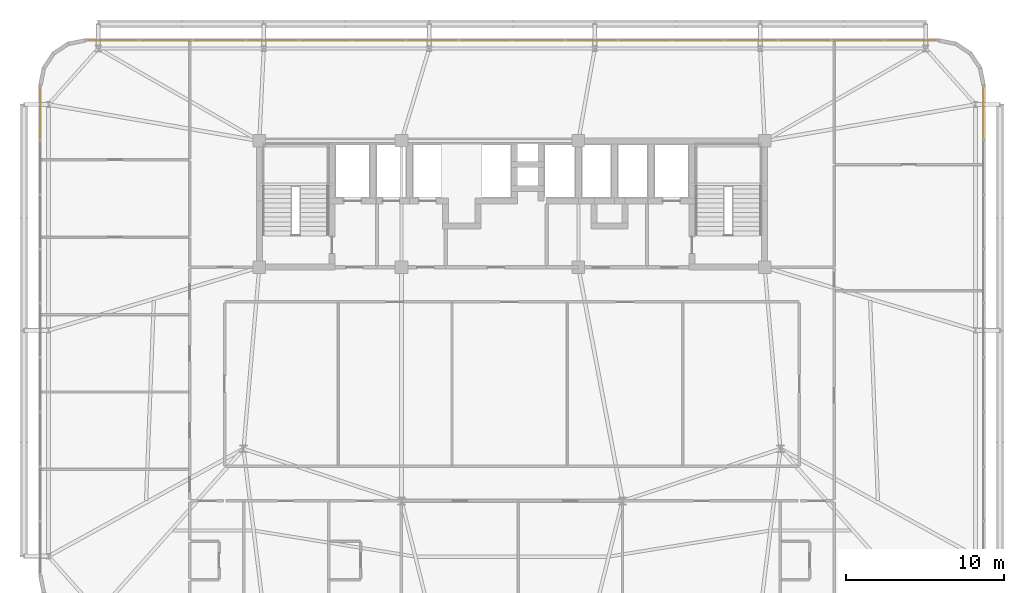
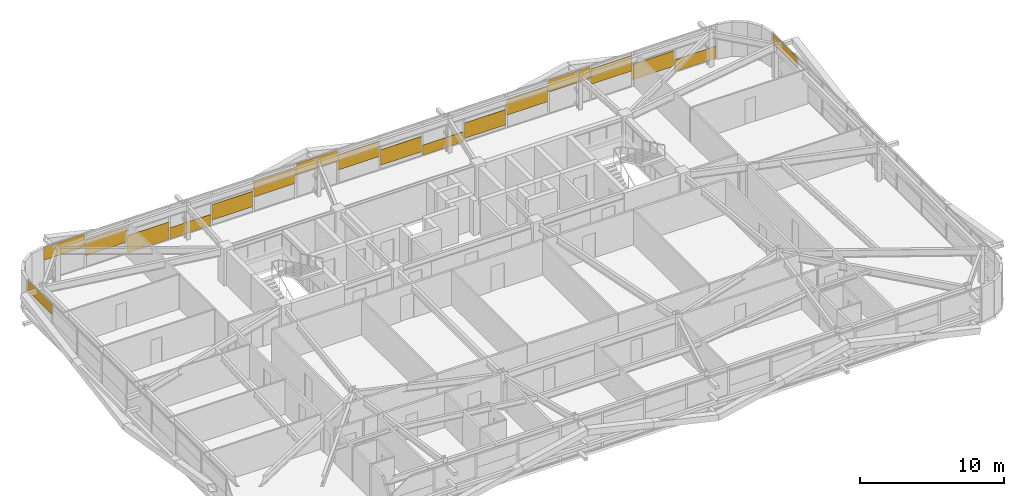
# One storey, part 58 of 58: 18 coverings.
"""IFC4 building model written with IfcOpenShell, lengths in metres."""

from ifc_helpers import new_model, si_unit, direction, frame, origin, origin_2d, place, context, subcontext, project, spatial, rectangle, extrude, source, transform, mapped, material, layer, layer_set, type_object, element, save


model = new_model("IFC4")

# Units and contexts
model_context = context("Model", 3, precision=1e-05, world=origin(), true_north=direction((0.0, 1.0)))
body_context = subcontext(model_context, "Body", "Model", "MODEL_VIEW")
ifc_project = project(units=[si_unit("LENGTHUNIT", "METRE"), si_unit("AREAUNIT", "SQUARE_METRE"), si_unit("VOLUMEUNIT", "CUBIC_METRE"), si_unit("PLANEANGLEUNIT", "RADIAN"), si_unit("MASSUNIT", "GRAM", prefix="KILO")], contexts=[model_context])

# Site, building, storey
site_placement = place(None, origin())
site = spatial("IfcSite", under=ifc_project, at=site_placement, CompositionType="ELEMENT")
building_placement = place(site_placement, origin())
building = spatial("IfcBuilding", under=site, at=building_placement, Name="Taldren Reach Tower", CompositionType="ELEMENT")
storey_placement = place(building_placement, frame((0.0, 0.0, 32.550048828125)))
storey = spatial("IfcBuildingStorey", under=building, at=storey_placement, Name="L09", CompositionType="ELEMENT", Elevation=32.550048828125)

# Coverings
ifc_material = material(Name="Pale Champagne Fluoropolymer Aluminium Spandrel Cladding", Category="aluminium")
ifc_layer = layer(ifc_material, 0.0439453125)
ifc_layer_set = layer_set([ifc_layer], Name="Pale Champagne Fluoropolymer Aluminium Spandrel Cladding")
covering_type = type_object("IfcCoveringType", Name="CV-CLAD-044", PredefinedType="CLADDING", material=ifc_layer_set)
shared_shape_1 = source(origin(), body_context, "Body", "SweptSolid", [
    extrude(rectangle(XDim=3.277587890625, YDim=0.0439453125, at=origin_2d()), origin(), (0.0, 0.0, 1.0), 1.081298828125),
])
covering_1_placement = place(storey_placement, frame((9.703857421875, 38.360107421875, 1.79345703125), z_axis=(0.0, 0.0, 1.0), x_axis=(-1.0, 0.0, 0.0)))
element("IfcCovering", 1, at=covering_1_placement, inside=storey, type_object=covering_type, Name="Diagrid closure cladding strip CW-2 panel 16.1 1", PredefinedType="CLADDING", context=body_context, shape_type="MappedRepresentation", body=[
    mapped(shared_shape_1, transform((0.0, 0.0, 0.0), scale=1.0)),
])
shared_shape_2 = source(origin(), body_context, "Body", "SweptSolid", [
    extrude(rectangle(XDim=3.31005859375, YDim=0.0439453125, at=origin_2d()), origin(), (0.0, 0.0, 1.0), 1.301025390625),
])
for number, where, z_axis, x_axis, name in (
    (2, (56.9375, 38.360107421875, 0.5576171875), (0.0, 0.0, 1.0), (-1.0, 0.0, 0.0), "Diagrid closure cladding strip CW-2 panel 2.1 1"),
    (3, (53.5625, 38.360107421875, 1.34033203125), (0.0, 0.0, 1.0), (-1.0, 0.0, 0.0), "Diagrid closure cladding strip CW-2 panel 3.1 1"),
    (4, (46.8125, 38.360107421875, 1.09326171875), (0.0, 0.0, 1.0), (-1.0, 0.0, 0.0), "Diagrid closure cladding strip CW-2 panel 5.1 1"),
    (5, (43.4375, 38.360107421875, 0.31103515625), (0.0, 0.0, 1.0), (-1.0, 0.0, 0.0), "Diagrid closure cladding strip CW-2 panel 6.1 1"),
    (6, (36.6875, 38.360107421875, 0.39306640625), (0.0, 0.0, 1.0), (-1.0, 0.0, 0.0), "Diagrid closure cladding strip CW-2 panel 8.1 1"),
    (7, (33.3125, 38.360107421875, 1.17578125), (0.0, 0.0, 1.0), (-1.0, 0.0, 0.0), "Diagrid closure cladding strip CW-2 panel 9.1 1"),
    (8, (26.5625, 38.360107421875, 1.2578125), (0.0, 0.0, 1.0), (-1.0, 0.0, 0.0), "Diagrid closure cladding strip CW-2 panel 11.1 1"),
    (9, (23.1875, 38.360107421875, 0.4755859375), (0.0, 0.0, 1.0), (-1.0, 0.0, 0.0), "Diagrid closure cladding strip CW-2 panel 12.1 1"),
    (10, (13.0625, 38.360107421875, 1.01123046875), (0.0, 0.0, 1.0), (-1.0, 0.0, 0.0), "Diagrid closure cladding strip CW-2 panel 15.1 1"),
):
    element("IfcCovering", number, at=place(storey_placement, frame(where, z_axis=z_axis, x_axis=x_axis)), inside=storey, type_object=covering_type, Name=name, PredefinedType="CLADDING", context=body_context, shape_type="MappedRepresentation", body=[
        mapped(shared_shape_2, transform((0.0, 0.0, 0.0), scale=1.0)),
    ])
shared_shape_3 = source(origin(), body_context, "Body", "SweptSolid", [
    extrude(rectangle(XDim=3.31005859375, YDim=0.0439453125, at=origin_2d()), origin(), (0.0, 0.0, 1.0), 1.474609375),
])
covering_2_placement = place(storey_placement, frame((16.4375, 38.360107421875, 0.054931640625), z_axis=(0.0, 0.0, 1.0), x_axis=(-1.0, 0.0, 0.0)))
element("IfcCovering", 11, at=covering_2_placement, inside=storey, type_object=covering_type, Name="Diagrid closure cladding strip CW-2 panel 14.1 1", PredefinedType="CLADDING", context=body_context, shape_type="MappedRepresentation", body=[
    mapped(shared_shape_3, transform((0.0, 0.0, 0.0), scale=1.0)),
])
shared_shape_4 = source(origin(), body_context, "Body", "SweptSolid", [
    extrude(rectangle(XDim=3.31005859375, YDim=0.0439453125, at=origin_2d()), origin(), (0.0, 0.0, 1.0), 0.93896484375),
])
covering_3_placement = place(storey_placement, frame((19.8125, 38.360107421875, 0.054931640625), z_axis=(0.0, 0.0, 1.0), x_axis=(-1.0, 0.0, 0.0)))
element("IfcCovering", 12, at=covering_3_placement, inside=storey, type_object=covering_type, Name="Diagrid closure cladding strip CW-2 panel 13.1 1", PredefinedType="CLADDING", context=body_context, shape_type="MappedRepresentation", body=[
    mapped(shared_shape_4, transform((0.0, 0.0, 0.0), scale=1.0)),
])
shared_shape_5 = source(origin(), body_context, "Body", "SweptSolid", [
    extrude(rectangle(XDim=3.31005859375, YDim=0.0439453125, at=origin_2d()), origin(), (0.0, 0.0, 1.0), 0.916748046875),
])
covering_4_placement = place(storey_placement, frame((29.9375, 38.360107421875, 1.9580078125), z_axis=(0.0, 0.0, 1.0), x_axis=(-1.0, 0.0, 0.0)))
element("IfcCovering", 13, at=covering_4_placement, inside=storey, type_object=covering_type, Name="Diagrid closure cladding strip CW-2 panel 10.1 1", PredefinedType="CLADDING", context=body_context, shape_type="MappedRepresentation", body=[
    mapped(shared_shape_5, transform((0.0, 0.0, 0.0), scale=1.0)),
])
shared_shape_6 = source(origin(), body_context, "Body", "SweptSolid", [
    extrude(rectangle(XDim=3.31005859375, YDim=0.0439453125, at=origin_2d()), origin(), (0.0, 0.0, 1.0), 0.856689453125),
])
covering_5_placement = place(storey_placement, frame((40.0625, 38.360107421875, 0.05517578125), z_axis=(0.0, 0.0, 1.0), x_axis=(-1.0, 0.0, 0.0)))
element("IfcCovering", 14, at=covering_5_placement, inside=storey, type_object=covering_type, Name="Diagrid closure cladding strip CW-2 panel 7.1 1", PredefinedType="CLADDING", context=body_context, shape_type="MappedRepresentation", body=[
    mapped(shared_shape_6, transform((0.0, 0.0, 0.0), scale=1.0)),
])
shared_shape_7 = source(origin(), body_context, "Body", "SweptSolid", [
    extrude(rectangle(XDim=3.31005859375, YDim=0.0439453125, at=origin_2d()), origin(), (0.0, 0.0, 1.0), 0.9990234375),
])
covering_6_placement = place(storey_placement, frame((50.1875, 38.360107421875, 1.8759765625), z_axis=(0.0, 0.0, 1.0), x_axis=(-1.0, 0.0, 0.0)))
element("IfcCovering", 15, at=covering_6_placement, inside=storey, type_object=covering_type, Name="Diagrid closure cladding strip CW-2 panel 4.1 1", PredefinedType="CLADDING", context=body_context, shape_type="MappedRepresentation", body=[
    mapped(shared_shape_7, transform((0.0, 0.0, 0.0), scale=1.0)),
])
shared_shape_8 = source(origin(), body_context, "Body", "SweptSolid", [
    extrude(rectangle(XDim=3.277587890625, YDim=0.0439453125, at=origin_2d()), origin(), (0.0, 0.0, 1.0), 1.021240234375),
])
covering_7_placement = place(storey_placement, frame((60.296142578125, 38.360107421875, 0.05517578125), z_axis=(0.0, 0.0, 1.0), x_axis=(-1.0, 0.0, 0.0)))
element("IfcCovering", 16, at=covering_7_placement, inside=storey, type_object=covering_type, Name="Diagrid closure cladding strip CW-2 panel 1.1 1", PredefinedType="CLADDING", context=body_context, shape_type="MappedRepresentation", body=[
    mapped(shared_shape_8, transform((0.0, 0.0, 0.0), scale=1.0)),
])
shared_shape_9 = source(origin(), body_context, "Body", "SweptSolid", [
    extrude(rectangle(XDim=3.346923828125, YDim=0.0439453125, at=origin_2d()), origin(), (0.0, 0.0, 1.0), 0.864501953125),
])
for number, where, z_axis, x_axis, name in (
    (17, (5.139892578125, 33.761474609375, 2.01025390625), (0.0, 0.0, 1.0), (0.0, -1.0, 0.0), "Diagrid closure cladding strip CW-2 panel 1.1 1"),
    (18, (64.860107421875, 33.761474609375, 2.01025390625), (0.0, 0.0, 1.0), (0.0, 1.0, 0.0), "Diagrid closure cladding strip CW-2 panel 9.1 1"),
):
    element("IfcCovering", number, at=place(storey_placement, frame(where, z_axis=z_axis, x_axis=x_axis)), inside=storey, type_object=covering_type, Name=name, PredefinedType="CLADDING", context=body_context, shape_type="MappedRepresentation", body=[
        mapped(shared_shape_9, transform((0.0, 0.0, 0.0), scale=1.0)),
    ])

save(model, "model.ifc")
